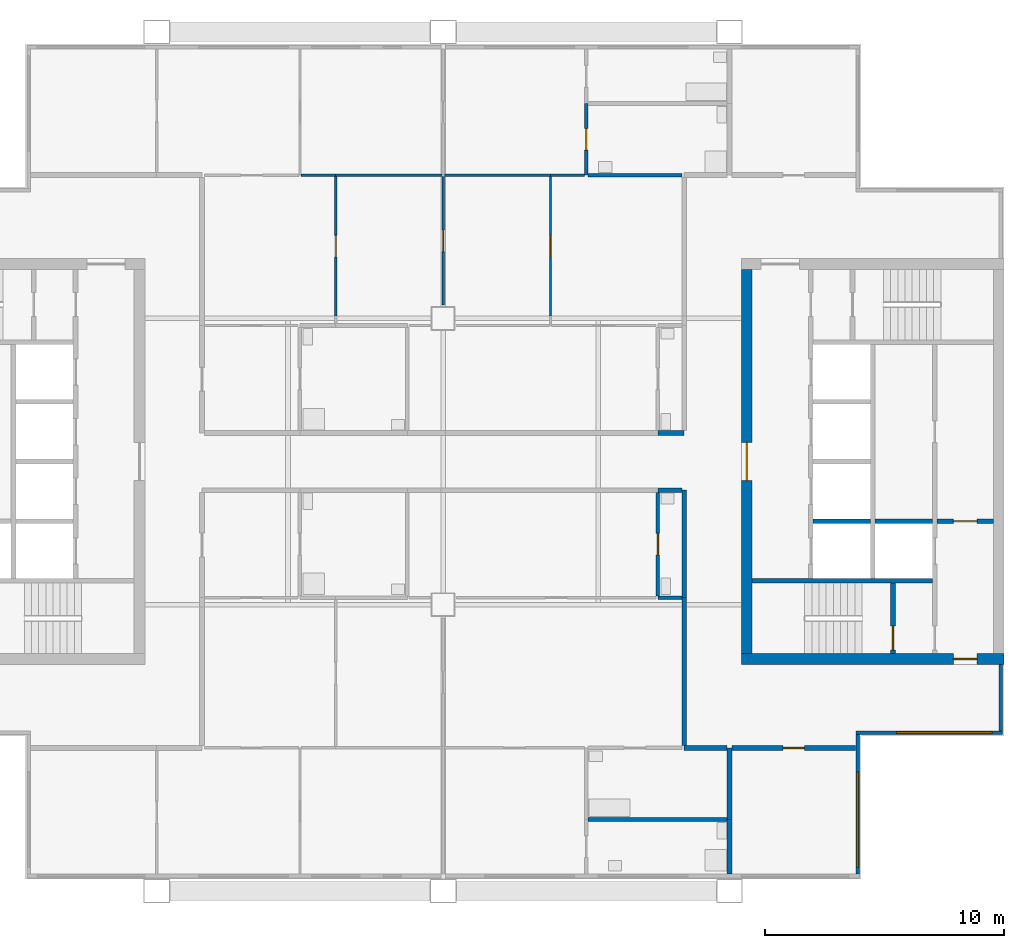
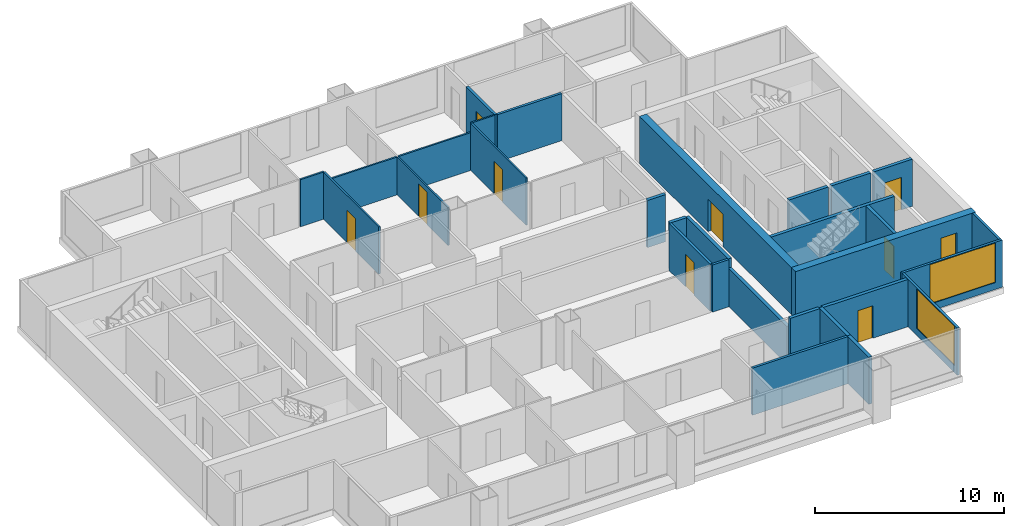
# One storey, part 4 of 8: 30 walls, 10 doors, 2 windows, 12 openings.
"""IFC4 building model written with IfcOpenShell, lengths in metres."""

import ifcopenshell
import ifcopenshell.guid

model = None  # the IFC model being written
_history = None  # IfcOwnerHistory: only IFC2X3 demands one
_inside = {}  # id of a spatial element -> (the spatial element, [elements in it])
_under = {}  # id of a project, library or spatial element -> (it, [spatial elements below it])
_declared = {}  # id of a project -> (the project, [libraries it declares])
_typed = {}  # id of a type object -> (the type object, [elements of that type])
_made_of = {}  # id of a material, layer set ... -> (it, [elements and type objects made of it])


def new_model(schema):
    """Start an empty IFC model of exactly this schema.

    Asked for "IFC4X3", IfcOpenShell would pick the latest addendum, in which some entities
    have other attributes; the version numbers below select the first issue.
    IFC2X3 requires an IfcOwnerHistory on every rooted entity: one is made here for all.
    """
    global model, _history
    if schema == "IFC4X3":
        model = ifcopenshell.file(schema_version=(4, 3, 0, 0))
    else:
        model = ifcopenshell.file(schema=schema)
    _inside.clear()
    _under.clear()
    _declared.clear()
    _typed.clear()
    _made_of.clear()
    _history = None
    if model.schema == "IFC2X3":
        org = make("IfcOrganization", Name="unknown")
        user = make(
            "IfcPersonAndOrganization",
            ThePerson=make("IfcPerson", FamilyName="unknown"),
            TheOrganization=org,
        )
        app = make(
            "IfcApplication",
            ApplicationDeveloper=org,
            Version="unknown",
            ApplicationFullName="unknown",
            ApplicationIdentifier="unknown",
        )
        _history = make(
            "IfcOwnerHistory",
            OwningUser=user,
            OwningApplication=app,
            ChangeAction="ADDED",
            CreationDate=0,
        )
    return model


def make(cls, **values):
    """One entity of the class cls with the attributes given. An attribute that is None is left unset."""
    return model.create_entity(
        cls, **{name: value for name, value in values.items() if value is not None}
    )


def rooted(cls, **values):
    """An entity with a GlobalId (a new one), such as an element, a storey or a relation."""
    return make(cls, GlobalId=ifcopenshell.guid.new(), OwnerHistory=_history, **values)


def si_unit(unit_type, name, prefix=None):
    """IfcSIUnit, for example si_unit("LENGTHUNIT", "METRE", prefix="MILLI")."""
    return make("IfcSIUnit", UnitType=unit_type, Prefix=prefix, Name=name)


def assignment(units):
    """IfcUnitAssignment: the units of a project."""
    return None if units is None else make("IfcUnitAssignment", Units=units)


def point(xyz):
    """IfcCartesianPoint."""
    return None if xyz is None else make("IfcCartesianPoint", Coordinates=xyz)


def direction(xyz):
    """IfcDirection."""
    return None if xyz is None else make("IfcDirection", DirectionRatios=xyz)


def frame(location, z_axis=None, x_axis=None):
    """IfcAxis2Placement3D, a coordinate frame: its origin and axes. An axis left out is left unset."""
    return make(
        "IfcAxis2Placement3D",
        Location=point(location),
        Axis=direction(z_axis),
        RefDirection=direction(x_axis),
    )


def frame_2d(location, x_axis=None):
    """IfcAxis2Placement2D, a coordinate frame in the plane: its origin and x axis."""
    return make(
        "IfcAxis2Placement2D", Location=point(location), RefDirection=direction(x_axis)
    )


def origin():
    """The frame at (0, 0, 0) with its axes left unset."""
    return frame((0.0, 0.0, 0.0))


def place(relative_to, where):
    """IfcLocalPlacement: puts the frame where relative to a parent placement (None: the world)."""
    return make(
        "IfcLocalPlacement", PlacementRelTo=relative_to, RelativePlacement=where
    )


def context(
    kind, dimensions, precision=None, world=None, true_north=None, identifier=None
):
    """IfcGeometricRepresentationContext, for example the 3D "Model" context."""
    return make(
        "IfcGeometricRepresentationContext",
        ContextIdentifier=identifier,
        ContextType=kind,
        CoordinateSpaceDimension=dimensions,
        Precision=precision,
        WorldCoordinateSystem=world,
        TrueNorth=true_north,
    )


def subcontext(parent, identifier, kind, view, scale=None):
    """IfcGeometricRepresentationSubContext, for example "Body" below "Model"."""
    return make(
        "IfcGeometricRepresentationSubContext",
        ContextIdentifier=identifier,
        ContextType=kind,
        ParentContext=parent,
        TargetScale=scale,
        TargetView=view,
    )


def project(units=None, contexts=None):
    """IfcProject with its units and contexts."""
    return rooted(
        "IfcProject",
        Name="project",
        RepresentationContexts=contexts,
        UnitsInContext=assignment(units),
    )


def spatial(cls, under=None, at=None, **own):
    """A site, building, storey or space (cls), placed at a placement, below another one or the project."""
    s = rooted(cls, ObjectPlacement=at, **own)
    if under is not None:
        _under.setdefault(under.id(), (under, []))[1].append(s)
    return s


def profile(cls, at=None, kind="AREA", **sizes):
    """A parametric profile (cls). Its sizes go by their IFC names, for example OverallWidth=200.0."""
    return make(cls, ProfileType=kind, Position=at, **sizes)


def rectangle(**sizes):
    """IfcRectangleProfileDef."""
    return profile("IfcRectangleProfileDef", **sizes)


def extrude(swept, where, along, depth):
    """IfcExtrudedAreaSolid: the profile swept, set in the frame where, extruded along a direction by depth."""
    return make(
        "IfcExtrudedAreaSolid",
        SweptArea=swept,
        Position=where,
        ExtrudedDirection=direction(along),
        Depth=depth,
    )


def shape(context_of_items, identifier, shape_type, items):
    """IfcShapeRepresentation: the items that make up one representation, for example the "Body"."""
    return make(
        "IfcShapeRepresentation",
        ContextOfItems=context_of_items,
        RepresentationIdentifier=identifier,
        RepresentationType=shape_type,
        Items=items,
    )


def material(Name=None, Category=None):
    """IfcMaterial."""
    return make("IfcMaterial", Name=Name, Category=Category)


def layer(
    of_material, thickness, ventilated=None, Name=None, Category=None, Priority=None
):
    """IfcMaterialLayer: one layer of a wall or slab, of a material (None: an air gap)."""
    return make(
        "IfcMaterialLayer",
        Material=of_material,
        LayerThickness=thickness,
        IsVentilated=ventilated,
        Name=Name,
        Category=Category,
        Priority=Priority,
    )


def layer_set(layers, Name=None):
    """IfcMaterialLayerSet."""
    return make("IfcMaterialLayerSet", MaterialLayers=layers, LayerSetName=Name)


def made_of(thing, what):
    """Note that an element or type object is made of a material, layer set ...; save() writes the relation."""
    if what is not None:
        _made_of.setdefault(what.id(), (what, []))[1].append(thing)
    return thing


def type_object(cls, material=None, **own):
    """A type object (cls), such as IfcWallType, which elements share."""
    return made_of(rooted(cls, **own), material)


def element(
    cls,
    number,
    at=None,
    inside=None,
    cuts=None,
    type_object=None,
    material=None,
    context=None,
    identifier="Body",
    shape_type=None,
    held_by="IfcProductDefinitionShape",
    body=None,
    shapes=None,
    **own,
):
    """One element of the class cls, such as IfcWall. Its Tag is "e" and its number.

    at: its placement. inside: the storey or other place that contains it. cuts: it is an
    opening in that element (IfcRelVoidsElement). A single representation is given by context,
    identifier, shape_type and body (its items); several are given by shapes. held_by: the class
    of the entity that holds the representations. save() writes the other relations.
    """
    e = rooted(cls, Tag="e%d" % number, ObjectPlacement=at, **own)
    if body is not None:
        shapes = [shape(context, identifier, shape_type, body)]
    if shapes is not None:
        e.Representation = make(held_by, Representations=shapes)
    if inside is not None:
        _inside.setdefault(inside.id(), (inside, []))[1].append(e)
    if cuts is not None:
        rooted(
            "IfcRelVoidsElement", RelatingBuildingElement=cuts, RelatedOpeningElement=e
        )
    if type_object is not None:
        _typed.setdefault(type_object.id(), (type_object, []))[1].append(e)
    return made_of(e, material)


def fill(opening, filler):
    """IfcRelFillsElement: the door or window that sits in an opening."""
    return rooted(
        "IfcRelFillsElement",
        RelatingOpeningElement=opening,
        RelatedBuildingElement=filler,
    )


def aggregate(whole, parts):
    """IfcRelAggregates: a whole, such as a stair, and the parts it consists of."""
    return rooted("IfcRelAggregates", RelatingObject=whole, RelatedObjects=parts)


def save(model, path):
    """Write the relations noted so far, then the file.

    IfcRelAggregates (storeys below a building ...), IfcRelContainedInSpatialStructure (elements
    in a storey), IfcRelDefinesByType, IfcRelAssociatesMaterial and IfcRelDeclares: one each for
    every whole, place, type object, material and project.
    """
    for whole, parts in _under.values():
        aggregate(whole, parts)
    for where, things in _inside.values():
        rooted(
            "IfcRelContainedInSpatialStructure",
            RelatedElements=things,
            RelatingStructure=where,
        )
    for kind, things in _typed.values():
        rooted("IfcRelDefinesByType", RelatedObjects=things, RelatingType=kind)
    for what, things in _made_of.values():
        rooted("IfcRelAssociatesMaterial", RelatedObjects=things, RelatingMaterial=what)
    for by, libraries in _declared.values():
        rooted("IfcRelDeclares", RelatingContext=by, RelatedDefinitions=libraries)
    model.write(path)


model = new_model("IFC4")

# Units and contexts
model_context = context("Model", 3, precision=1e-05, world=origin(), true_north=direction((0.0, 1.0)))
body_context = subcontext(model_context, "Body", "Model", "MODEL_VIEW")
ifc_project = project(units=[si_unit("LENGTHUNIT", "METRE"), si_unit("AREAUNIT", "SQUARE_METRE"), si_unit("VOLUMEUNIT", "CUBIC_METRE"), si_unit("PLANEANGLEUNIT", "RADIAN"), si_unit("MASSUNIT", "GRAM", prefix="KILO")], contexts=[model_context])

# Site, building, storey
site_placement = place(None, origin())
site = spatial("IfcSite", under=ifc_project, at=site_placement, CompositionType="ELEMENT")
building_placement = place(site_placement, origin())
building = spatial("IfcBuilding", under=site, at=building_placement, Name="Kitamizu Gate Tower and Museum", CompositionType="ELEMENT")
storey_placement = place(building_placement, frame((0.0, 0.0, 235.199951171875)))
storey = spatial("IfcBuildingStorey", under=building, at=storey_placement, Name="L63", CompositionType="ELEMENT", Elevation=235.199951171875)

# Wall, opening, door
ifc_material_1 = material(Name="Concrete Fc42", Category="concrete")
ifc_layer_1 = layer(ifc_material_1, 0.449951171875)
ifc_layer_set_1 = layer_set([ifc_layer_1], Name="Concrete Fc42")
wall_type_1 = type_object("IfcWallType", Name="Core wall 450", PredefinedType="SHEAR", material=ifc_layer_set_1)
wall_1_placement = place(storey_placement, frame((59.5, 21.72509765625, 0.0), z_axis=(0.0, 0.0, 1.0), x_axis=(-1.0, 0.0, 0.0)))
wall_1 = element("IfcWall", 1, at=wall_1_placement, inside=storey, type_object=wall_type_1, Name="Core wall ES", PredefinedType="SHEAR", context=body_context, shape_type="SweptSolid", body=[
    extrude(rectangle(XDim=11.0, YDim=0.449951171875, at=frame_2d((5.5, 0.0))), origin(), (0.0, 0.0, 1.0), 3.050048828125),
])
opening_1_placement = place(wall_1_placement, frame((1.125, 0.0, 0.0)))
opening_1 = element("IfcOpeningElement", 2, at=opening_1_placement, cuts=wall_1, Name="Opening L63-044", PredefinedType="OPENING", context=body_context, shape_type="SweptSolid", body=[
    extrude(rectangle(XDim=1.0, YDim=2.10009765625, at=frame_2d((0.5, 1.050048828125))), frame((0.0, 0.23486328125, 0.0), z_axis=(0.0, -1.0, 0.0), x_axis=(1.0, 0.0, 0.0)), (0.0, 0.0, 1.0), 0.469970703125),
])
ifc_material_2 = material(Name="Hollow metal door set")
door_type_1 = type_object("IfcDoorType", Name="Fire door 1000", OperationType="NOTDEFINED", PredefinedType="DOOR", material=ifc_material_2)
door_1_placement = place(opening_1_placement, frame((1.0, 0.0, 0.0), x_axis=(-1.0, 0.0, 0.0)))
door_1 = element("IfcDoor", 3, at=door_1_placement, inside=storey, type_object=door_type_1, Name="Fire-fighting lobby door L63-044", OperationType="SINGLE_SWING_RIGHT", OverallHeight=2.10009765625, OverallWidth=1.0, PredefinedType="DOOR", context=body_context, shape_type="SweptSolid", body=[
    extrude(rectangle(XDim=1.0, YDim=2.10009765625, at=frame_2d((0.5, 1.050048828125))), frame((0.0, 0.02490234375, 0.0), z_axis=(0.0, -1.0, 0.0), x_axis=(1.0, 0.0, 0.0)), (0.0, 0.0, 1.0), 0.050048828125),
])
fill(opening_1, door_1)

wall_2_placement = place(storey_placement, frame((48.72509765625, 21.949951171875, 0.0), z_axis=(0.0, 0.0, 1.0), x_axis=(0.0, 1.0, 0.0)))
wall_2 = element("IfcWall", 4, at=wall_2_placement, inside=storey, type_object=wall_type_1, Name="Core wall EARC", PredefinedType="SHEAR", context=body_context, shape_type="SweptSolid", body=[
    extrude(rectangle(XDim=16.10009765625, YDim=0.449951171875, at=frame_2d((8.050048828125, 0.0))), origin(), (0.0, 0.0, 1.0), 3.050048828125),
])
opening_2_placement = place(wall_2_placement, frame((7.25, 0.0, 0.0)))
opening_2 = element("IfcOpeningElement", 5, at=opening_2_placement, cuts=wall_2, Name="Opening L63-046", PredefinedType="OPENING", context=body_context, shape_type="SweptSolid", body=[
    extrude(rectangle(XDim=1.60009765625, YDim=2.10009765625, at=frame_2d((0.800048828125, 1.050048828125))), frame((0.0, 0.23486328125, 0.0), z_axis=(0.0, -1.0, 0.0), x_axis=(1.0, 0.0, 0.0)), (0.0, 0.0, 1.0), 0.469970703125),
])
ifc_material_3 = material(Name="Timber door set", Category="wood")
door_type_2 = type_object("IfcDoorType", Name="Entrance door 1600", OperationType="DOUBLE_DOOR_SINGLE_SWING", PredefinedType="DOOR", material=ifc_material_3)
door_2_placement = place(opening_2_placement, origin())
door_2 = element("IfcDoor", 6, at=door_2_placement, inside=storey, type_object=door_type_2, Name="Lobby door L63-046", OperationType="DOUBLE_DOOR_SINGLE_SWING", OverallHeight=2.10009765625, OverallWidth=1.60009765625, PredefinedType="DOOR", context=body_context, shape_type="SweptSolid", body=[
    extrude(rectangle(XDim=1.60009765625, YDim=2.10009765625, at=frame_2d((0.800048828125, 1.050048828125))), frame((0.0, 0.02490234375, 0.0), z_axis=(0.0, -1.0, 0.0), x_axis=(1.0, 0.0, 0.0)), (0.0, 0.0, 1.0), 0.050048828125),
])
fill(opening_2, door_2)

# Walls
ifc_material_4 = material(Name="Gypsum board on galvanised stud")
ifc_layer_2 = layer(ifc_material_4, 0.10009765625)
ifc_layer_set_2 = layer_set([ifc_layer_2], Name="Gypsum board on galvanised stud")
wall_type_2 = type_object("IfcWallType", Name="Partition 100 NOT RATED", PredefinedType="PARTITIONING", material=ifc_layer_set_2)
wall_3_placement = place(storey_placement, frame((30.050048828125, 42.0, 0.0), z_axis=(0.0, 0.0, 1.0), x_axis=(1.0, 0.0, 0.0)))
element("IfcWall", 7, at=wall_3_placement, inside=storey, type_object=wall_type_2, Name="Partition L63-044", PredefinedType="PARTITIONING", context=body_context, shape_type="SweptSolid", body=[
    extrude(rectangle(XDim=1.449951171875, YDim=0.10009765625, at=frame_2d((0.72509765625, 0.0))), origin(), (0.0, 0.0, 1.0), 3.050048828125),
])
for number, where, z_axis, x_axis, name in (
    (8, (31.5, 42.0, 0.0), (0.0, 0.0, 1.0), (1.0, 0.0, 0.0), "Partition L63-045"),
    (9, (36.050048828125, 42.0, 0.0), (0.0, 0.0, 1.0), (1.0, 0.0, 0.0), "Partition L63-048"),
):
    element("IfcWall", number, at=place(storey_placement, frame(where, z_axis=z_axis, x_axis=x_axis)), inside=storey, type_object=wall_type_2, Name=name, PredefinedType="PARTITIONING", context=body_context, shape_type="SweptSolid", body=[
        extrude(rectangle(XDim=4.449951171875, YDim=0.10009765625, at=frame_2d((2.22509765625, 0.0))), origin(), (0.0, 0.0, 1.0), 2.449951171875),
    ])
wall_4_placement = place(storey_placement, frame((40.5, 42.0, 0.0), z_axis=(0.0, 0.0, 1.0), x_axis=(1.0, 0.0, 0.0)))
element("IfcWall", 10, at=wall_4_placement, inside=storey, type_object=wall_type_2, Name="Partition L63-049", PredefinedType="PARTITIONING", context=body_context, shape_type="SweptSolid", body=[
    extrude(rectangle(XDim=1.425048828125, YDim=0.10009765625, at=frame_2d((0.71240234375, 0.0))), origin(), (0.0, 0.0, 1.0), 3.050048828125),
])

# Wall, opening, door
wall_5_placement = place(storey_placement, frame((31.5, 36.10009765625, 0.0), z_axis=(0.0, 0.0, 1.0), x_axis=(0.0, 1.0, 0.0)))
wall_5 = element("IfcWall", 11, at=wall_5_placement, inside=storey, type_object=wall_type_2, Name="Partition L63-056", PredefinedType="PARTITIONING", context=body_context, shape_type="SweptSolid", body=[
    extrude(rectangle(XDim=5.849853515625, YDim=0.10009765625, at=frame_2d((2.9248046875, 0.0))), origin(), (0.0, 0.0, 1.0), 3.050048828125),
])
opening_3_placement = place(wall_5_placement, frame((2.47509765625, 0.0, 0.0)))
opening_3 = element("IfcOpeningElement", 12, at=opening_3_placement, cuts=wall_5, Name="Opening L63-022", PredefinedType="OPENING", context=body_context, shape_type="SweptSolid", body=[
    extrude(rectangle(XDim=0.89990234375, YDim=2.10009765625, at=frame_2d((0.449951171875, 1.050048828125))), frame((0.0, 0.06005859375, 0.0), z_axis=(0.0, -1.0, 0.0), x_axis=(1.0, 0.0, 0.0)), (0.0, 0.0, 1.0), 0.1201171875),
])
ifc_material_5 = material(Name="Timber door set", Category="wood")
door_type_3 = type_object("IfcDoorType", Name="Room door 900", OperationType="NOTDEFINED", PredefinedType="DOOR", material=ifc_material_5)
door_3_placement = place(opening_3_placement, frame((0.89990234375, 0.0, 0.0), x_axis=(-1.0, 0.0, 0.0)))
door_3 = element("IfcDoor", 13, at=door_3_placement, inside=storey, type_object=door_type_3, Name="Door L63-022", OperationType="SINGLE_SWING_RIGHT", OverallHeight=2.10009765625, OverallWidth=0.89990234375, PredefinedType="DOOR", context=body_context, shape_type="SweptSolid", body=[
    extrude(rectangle(XDim=0.89990234375, YDim=2.10009765625, at=frame_2d((0.449951171875, 1.050048828125))), frame((0.0, 0.02490234375, 0.0), z_axis=(0.0, -1.0, 0.0), x_axis=(1.0, 0.0, 0.0)), (0.0, 0.0, 1.0), 0.050048828125),
])
fill(opening_3, door_3)

wall_6_placement = place(storey_placement, frame((36.0, 36.550048828125, 0.0), z_axis=(0.0, 0.0, 1.0), x_axis=(0.0, 1.0, 0.0)))
wall_6 = element("IfcWall", 14, at=wall_6_placement, inside=storey, type_object=wall_type_2, Name="Partition L63-060", PredefinedType="PARTITIONING", context=body_context, shape_type="SweptSolid", body=[
    extrude(rectangle(XDim=5.39990234375, YDim=0.10009765625, at=frame_2d((2.699951171875, 0.0))), origin(), (0.0, 0.0, 1.0), 2.449951171875),
])
opening_4_placement = place(wall_6_placement, frame((2.25, 0.0, 0.0)))
opening_4 = element("IfcOpeningElement", 15, at=opening_4_placement, cuts=wall_6, Name="Opening L63-023", PredefinedType="OPENING", context=body_context, shape_type="SweptSolid", body=[
    extrude(rectangle(XDim=0.89990234375, YDim=2.10009765625, at=frame_2d((0.449951171875, 1.050048828125))), frame((0.0, 0.06005859375, 0.0), z_axis=(0.0, -1.0, 0.0), x_axis=(1.0, 0.0, 0.0)), (0.0, 0.0, 1.0), 0.1201171875),
])
door_4_placement = place(opening_4_placement, origin())
door_4 = element("IfcDoor", 16, at=door_4_placement, inside=storey, type_object=door_type_3, Name="Door L63-023", OperationType="SINGLE_SWING_RIGHT", OverallHeight=2.10009765625, OverallWidth=0.89990234375, PredefinedType="DOOR", context=body_context, shape_type="SweptSolid", body=[
    extrude(rectangle(XDim=0.89990234375, YDim=2.10009765625, at=frame_2d((0.449951171875, 1.050048828125))), frame((0.0, 0.02490234375, 0.0), z_axis=(0.0, -1.0, 0.0), x_axis=(1.0, 0.0, 0.0)), (0.0, 0.0, 1.0), 0.050048828125),
])
fill(opening_4, door_4)

wall_7_placement = place(storey_placement, frame((40.5, 36.10009765625, 0.0), z_axis=(0.0, 0.0, 1.0), x_axis=(0.0, 1.0, 0.0)))
wall_7 = element("IfcWall", 17, at=wall_7_placement, inside=storey, type_object=wall_type_2, Name="Partition L63-064", PredefinedType="PARTITIONING", context=body_context, shape_type="SweptSolid", body=[
    extrude(rectangle(XDim=5.849853515625, YDim=0.10009765625, at=frame_2d((2.9248046875, 0.0))), origin(), (0.0, 0.0, 1.0), 3.050048828125),
])
opening_5_placement = place(wall_7_placement, frame((2.47509765625, 0.0, 0.0)))
opening_5 = element("IfcOpeningElement", 18, at=opening_5_placement, cuts=wall_7, Name="Opening L63-024", PredefinedType="OPENING", context=body_context, shape_type="SweptSolid", body=[
    extrude(rectangle(XDim=0.89990234375, YDim=2.10009765625, at=frame_2d((0.449951171875, 1.050048828125))), frame((0.0, 0.06005859375, 0.0), z_axis=(0.0, -1.0, 0.0), x_axis=(1.0, 0.0, 0.0)), (0.0, 0.0, 1.0), 0.1201171875),
])
door_5_placement = place(opening_5_placement, origin())
door_5 = element("IfcDoor", 19, at=door_5_placement, inside=storey, type_object=door_type_3, Name="Door L63-024", OperationType="SINGLE_SWING_LEFT", OverallHeight=2.10009765625, OverallWidth=0.89990234375, PredefinedType="DOOR", context=body_context, shape_type="SweptSolid", body=[
    extrude(rectangle(XDim=0.89990234375, YDim=2.10009765625, at=frame_2d((0.449951171875, 1.050048828125))), frame((0.0, 0.02490234375, 0.0), z_axis=(0.0, -1.0, 0.0), x_axis=(1.0, 0.0, 0.0)), (0.0, 0.0, 1.0), 0.050048828125),
])
fill(opening_5, door_5)

# Walls
ifc_material_6 = material(Name="Gypsum board on galvanised stud")
ifc_layer_3 = layer(ifc_material_6, 0.14990234375)
ifc_layer_set_3 = layer_set([ifc_layer_3], Name="Gypsum board on galvanised stud")
wall_type_3 = type_object("IfcWallType", Name="Partition 150", PredefinedType="PARTITIONING", material=ifc_layer_set_3)
wall_8_placement = place(storey_placement, frame((47.89990234375, 15.0, 0.0), z_axis=(0.0, 0.0, 1.0), x_axis=(-1.0, 0.0, 0.0)))
element("IfcWall", 20, at=wall_8_placement, inside=storey, type_object=wall_type_3, Name="Partition L63-012", PredefinedType="PARTITIONING", context=body_context, shape_type="SweptSolid", body=[
    extrude(rectangle(XDim=5.824951171875, YDim=0.14990234375, at=frame_2d((2.91259765625, 0.0))), origin(), (0.0, 0.0, 1.0), 3.050048828125),
])
wall_9_placement = place(storey_placement, frame((46.0, 24.300048828125, 0.0), z_axis=(0.0, 0.0, 1.0), x_axis=(-1.0, 0.0, 0.0)))
element("IfcWall", 21, at=wall_9_placement, inside=storey, type_object=wall_type_3, Name="Partition L63-026", PredefinedType="PARTITIONING", context=body_context, shape_type="SweptSolid", body=[
    extrude(rectangle(XDim=1.0, YDim=0.14990234375, at=frame_2d((0.5, 0.0))), origin(), (0.0, 0.0, 1.0), 3.050048828125),
])

# Wall, opening, door
wall_10_placement = place(storey_placement, frame((45.0, 24.375, 0.0), z_axis=(0.0, 0.0, 1.0), x_axis=(0.0, 1.0, 0.0)))
wall_10 = element("IfcWall", 22, at=wall_10_placement, inside=storey, type_object=wall_type_3, Name="Partition L63-033", PredefinedType="PARTITIONING", context=body_context, shape_type="SweptSolid", body=[
    extrude(rectangle(XDim=4.324951171875, YDim=0.14990234375, at=frame_2d((2.16259765625, 0.0))), origin(), (0.0, 0.0, 1.0), 3.050048828125),
])
opening_6_placement = place(wall_10_placement, frame((1.71240234375, 0.0, 0.0)))
opening_6 = element("IfcOpeningElement", 23, at=opening_6_placement, cuts=wall_10, Name="Opening L63-013", PredefinedType="OPENING", context=body_context, shape_type="SweptSolid", body=[
    extrude(rectangle(XDim=0.89990234375, YDim=2.10009765625, at=frame_2d((0.449951171875, 1.050048828125))), frame((0.0, 0.0849609375, 0.0), z_axis=(0.0, -1.0, 0.0), x_axis=(1.0, 0.0, 0.0)), (0.0, 0.0, 1.0), 0.169921875),
])
ifc_material_7 = material(Name="Timber door set", Category="wood")
door_type_4 = type_object("IfcDoorType", Name="Bathroom door 900", OperationType="NOTDEFINED", PredefinedType="DOOR", material=ifc_material_7)
door_6_placement = place(opening_6_placement, frame((0.89990234375, 0.0, 0.0), x_axis=(-1.0, 0.0, 0.0)))
door_6 = element("IfcDoor", 24, at=door_6_placement, inside=storey, type_object=door_type_4, Name="Bathroom door L63-013", OperationType="SINGLE_SWING_LEFT", OverallHeight=2.10009765625, OverallWidth=0.89990234375, PredefinedType="DOOR", context=body_context, shape_type="SweptSolid", body=[
    extrude(rectangle(XDim=0.89990234375, YDim=2.10009765625, at=frame_2d((0.449951171875, 1.050048828125))), frame((0.0, 0.02490234375, 0.0), z_axis=(0.0, -1.0, 0.0), x_axis=(1.0, 0.0, 0.0)), (0.0, 0.0, 1.0), 0.050048828125),
])
fill(opening_6, door_6)

wall_11_placement = place(storey_placement, frame((42.0, 42.0, 0.0), z_axis=(0.0, 0.0, 1.0), x_axis=(0.0, 1.0, 0.0)))
wall_11 = element("IfcWall", 25, at=wall_11_placement, inside=storey, type_object=wall_type_3, Name="Partition L63-046", PredefinedType="PARTITIONING", context=body_context, shape_type="SweptSolid", body=[
    extrude(rectangle(XDim=3.0, YDim=0.14990234375, at=frame_2d((1.5, 0.0))), origin(), (0.0, 0.0, 1.0), 3.050048828125),
])
opening_7_placement = place(wall_11_placement, frame((1.050048828125, 0.0, 0.0)))
opening_7 = element("IfcOpeningElement", 26, at=opening_7_placement, cuts=wall_11, Name="Opening L63-020", PredefinedType="OPENING", context=body_context, shape_type="SweptSolid", body=[
    extrude(rectangle(XDim=0.89990234375, YDim=2.10009765625, at=frame_2d((0.449951171875, 1.050048828125))), frame((0.0, 0.0849609375, 0.0), z_axis=(0.0, -1.0, 0.0), x_axis=(1.0, 0.0, 0.0)), (0.0, 0.0, 1.0), 0.169921875),
])
door_7_placement = place(opening_7_placement, frame((0.89990234375, 0.0, 0.0), x_axis=(-1.0, 0.0, 0.0)))
door_7 = element("IfcDoor", 27, at=door_7_placement, inside=storey, type_object=door_type_4, Name="Bathroom door L63-020", OperationType="SINGLE_SWING_RIGHT", OverallHeight=2.10009765625, OverallWidth=0.89990234375, PredefinedType="DOOR", context=body_context, shape_type="SweptSolid", body=[
    extrude(rectangle(XDim=0.89990234375, YDim=2.10009765625, at=frame_2d((0.449951171875, 1.050048828125))), frame((0.0, 0.02490234375, 0.0), z_axis=(0.0, -1.0, 0.0), x_axis=(1.0, 0.0, 0.0)), (0.0, 0.0, 1.0), 0.050048828125),
])
fill(opening_7, door_7)

# Walls
wall_12_placement = place(storey_placement, frame((42.074951171875, 42.0, 0.0), z_axis=(0.0, 0.0, 1.0), x_axis=(1.0, 0.0, 0.0)))
element("IfcWall", 28, at=wall_12_placement, inside=storey, type_object=wall_type_3, Name="Partition L63-051", PredefinedType="PARTITIONING", context=body_context, shape_type="SweptSolid", body=[
    extrude(rectangle(XDim=3.925048828125, YDim=0.14990234375, at=frame_2d((1.96240234375, 0.0))), origin(), (0.0, 0.0, 1.0), 3.050048828125),
])
ifc_material_8 = material(Name="Gypsum board on galvanised stud")
ifc_layer_4 = layer(ifc_material_8, 0.199951171875)
ifc_layer_set_4 = layer_set([ifc_layer_4], Name="Gypsum board on galvanised stud")
wall_type_4 = type_object("IfcWallType", Name="Partition 200", PredefinedType="PARTITIONING", material=ifc_layer_set_4)
wall_13_placement = place(storey_placement, frame((48.0, 12.719970703125, 0.0), z_axis=(0.0, 0.0, 1.0), x_axis=(0.0, 1.0, 0.0)))
element("IfcWall", 29, at=wall_13_placement, inside=storey, type_object=wall_type_4, Name="Partition L63-013", PredefinedType="PARTITIONING", context=body_context, shape_type="SweptSolid", body=[
    extrude(rectangle(XDim=2.280029296875, YDim=0.199951171875, at=frame_2d((1.14013671875, 0.0))), origin(), (0.0, 0.0, 1.0), 3.050048828125),
])
wall_14_placement = place(storey_placement, frame((48.0, 15.0, 0.0), z_axis=(0.0, 0.0, 1.0), x_axis=(0.0, 1.0, 0.0)))
element("IfcWall", 30, at=wall_14_placement, inside=storey, type_object=wall_type_4, Name="Partition L63-015", PredefinedType="PARTITIONING", context=body_context, shape_type="SweptSolid", body=[
    extrude(rectangle(XDim=3.0, YDim=0.199951171875, at=frame_2d((1.5, 0.0))), origin(), (0.0, 0.0, 1.0), 3.050048828125),
])
wall_15_placement = place(storey_placement, frame((47.89990234375, 18.0, 0.0), z_axis=(0.0, 0.0, 1.0), x_axis=(-1.0, 0.0, 0.0)))
element("IfcWall", 31, at=wall_15_placement, inside=storey, type_object=wall_type_4, Name="Partition L63-016", PredefinedType="PARTITIONING", context=body_context, shape_type="SweptSolid", body=[
    extrude(rectangle(XDim=1.7998046875, YDim=0.199951171875, at=frame_2d((0.89990234375, 0.0))), origin(), (0.0, 0.0, 1.0), 3.050048828125),
])
wall_16_placement = place(storey_placement, frame((46.10009765625, 18.10009765625, 0.0), z_axis=(0.0, 0.0, 1.0), x_axis=(0.0, 1.0, 0.0)))
element("IfcWall", 32, at=wall_16_placement, inside=storey, type_object=wall_type_4, Name="Partition L63-027", PredefinedType="PARTITIONING", context=body_context, shape_type="SweptSolid", body=[
    extrude(rectangle(XDim=6.199951171875, YDim=0.199951171875, at=frame_2d((3.10009765625, 0.0))), origin(), (0.0, 0.0, 1.0), 2.449951171875),
])
wall_17_placement = place(storey_placement, frame((46.10009765625, 24.300048828125, 0.0), z_axis=(0.0, 0.0, 1.0), x_axis=(0.0, 1.0, 0.0)))
element("IfcWall", 33, at=wall_17_placement, inside=storey, type_object=wall_type_4, Name="Partition L63-036", PredefinedType="PARTITIONING", context=body_context, shape_type="SweptSolid", body=[
    extrude(rectangle(XDim=4.5, YDim=0.199951171875, at=frame_2d((2.25, 0.0))), origin(), (0.0, 0.0, 1.0), 3.050048828125),
])
wall_18_placement = place(storey_placement, frame((46.0, 28.800048828125, 0.0), z_axis=(0.0, 0.0, 1.0), x_axis=(-1.0, 0.0, 0.0)))
element("IfcWall", 34, at=wall_18_placement, inside=storey, type_object=wall_type_4, Name="Partition L63-037", PredefinedType="PARTITIONING", context=body_context, shape_type="SweptSolid", body=[
    extrude(rectangle(XDim=1.0, YDim=0.199951171875, at=frame_2d((0.5, 0.0))), origin(), (0.0, 0.0, 1.0), 3.050048828125),
])
wall_19_placement = place(storey_placement, frame((45.0, 31.199951171875, 0.0), z_axis=(0.0, 0.0, 1.0), x_axis=(1.0, 0.0, 0.0)))
element("IfcWall", 35, at=wall_19_placement, inside=storey, type_object=wall_type_4, Name="Partition L63-078", PredefinedType="PARTITIONING", context=body_context, shape_type="SweptSolid", body=[
    extrude(rectangle(XDim=1.10009765625, YDim=0.199951171875, at=frame_2d((0.550048828125, 0.0))), origin(), (0.0, 0.0, 1.0), 3.050048828125),
])

# Wall, opening, door
wall_20_placement = place(storey_placement, frame((53.280029296875, 18.0, 0.0), z_axis=(0.0, 0.0, 1.0), x_axis=(-1.0, 0.0, 0.0)))
wall_20 = element("IfcWall", 36, at=wall_20_placement, inside=storey, type_object=wall_type_4, Name="Partition L63-080", PredefinedType="PARTITIONING", context=body_context, shape_type="SweptSolid", body=[
    extrude(rectangle(XDim=5.179931640625, YDim=0.199951171875, at=frame_2d((2.58984375, 0.0))), origin(), (0.0, 0.0, 1.0), 3.050048828125),
])
opening_8_placement = place(wall_20_placement, frame((2.139892578125, 0.0, 0.0)))
opening_8 = element("IfcOpeningElement", 37, at=opening_8_placement, cuts=wall_20, Name="Opening L63-028", PredefinedType="OPENING", context=body_context, shape_type="SweptSolid", body=[
    extrude(rectangle(XDim=0.89990234375, YDim=2.10009765625, at=frame_2d((0.449951171875, 1.050048828125))), frame((0.0, 0.10986328125, 0.0), z_axis=(0.0, -1.0, 0.0), x_axis=(1.0, 0.0, 0.0)), (0.0, 0.0, 1.0), 0.219970703125),
])
door_8_placement = place(opening_8_placement, origin())
door_8 = element("IfcDoor", 38, at=door_8_placement, inside=storey, type_object=door_type_3, Name="Door L63-028", OperationType="SINGLE_SWING_LEFT", OverallHeight=2.10009765625, OverallWidth=0.89990234375, PredefinedType="DOOR", context=body_context, shape_type="SweptSolid", body=[
    extrude(rectangle(XDim=0.89990234375, YDim=2.10009765625, at=frame_2d((0.449951171875, 1.050048828125))), frame((0.0, 0.02490234375, 0.0), z_axis=(0.0, -1.0, 0.0), x_axis=(1.0, 0.0, 0.0)), (0.0, 0.0, 1.0), 0.050048828125),
])
fill(opening_8, door_8)

# Wall
ifc_material_9 = material(Name="Concrete Fc42", Category="concrete")
ifc_layer_5 = layer(ifc_material_9, 0.199951171875)
ifc_layer_set_5 = layer_set([ifc_layer_5], Name="Concrete Fc42")
wall_type_5 = type_object("IfcWallType", Name="Shaft wall 200", PredefinedType="SOLIDWALL", material=ifc_layer_set_5)
wall_21_placement = place(storey_placement, frame((56.5, 25.0, 0.0), z_axis=(0.0, 0.0, 1.0), x_axis=(-1.0, 0.0, 0.0)))
element("IfcWall", 39, at=wall_21_placement, inside=storey, type_object=wall_type_5, Name="Shaft wall ESB", PredefinedType="SOLIDWALL", context=body_context, shape_type="SweptSolid", body=[
    extrude(rectangle(XDim=7.550048828125, YDim=0.199951171875, at=frame_2d((3.77490234375, 0.0))), origin(), (0.0, 0.0, 1.0), 3.050048828125),
])

# Wall, opening, door
wall_22_placement = place(storey_placement, frame((59.050048828125, 27.5, 0.0), z_axis=(0.0, 0.0, 1.0), x_axis=(-1.0, 0.0, 0.0)))
wall_22 = element("IfcWall", 40, at=wall_22_placement, inside=storey, type_object=wall_type_5, Name="Shaft wall EFFN", PredefinedType="SOLIDWALL", context=body_context, shape_type="SweptSolid", body=[
    extrude(rectangle(XDim=2.35009765625, YDim=0.199951171875, at=frame_2d((1.175048828125, 0.0))), origin(), (0.0, 0.0, 1.0), 3.050048828125),
])
opening_9_placement = place(wall_22_placement, frame((0.675048828125, 0.0, 0.0)))
opening_9 = element("IfcOpeningElement", 41, at=opening_9_placement, cuts=wall_22, Name="Opening L63-043", PredefinedType="OPENING", context=body_context, shape_type="SweptSolid", body=[
    extrude(rectangle(XDim=1.0, YDim=2.10009765625, at=frame_2d((0.5, 1.050048828125))), frame((0.0, 0.10986328125, 0.0), z_axis=(0.0, -1.0, 0.0), x_axis=(1.0, 0.0, 0.0)), (0.0, 0.0, 1.0), 0.219970703125),
])
door_9_placement = place(opening_9_placement, origin())
door_9 = element("IfcDoor", 42, at=door_9_placement, inside=storey, type_object=door_type_1, Name="Fire-fighting lobby door L63-043", OperationType="SINGLE_SWING_RIGHT", OverallHeight=2.10009765625, OverallWidth=1.0, PredefinedType="DOOR", context=body_context, shape_type="SweptSolid", body=[
    extrude(rectangle(XDim=1.0, YDim=2.10009765625, at=frame_2d((0.5, 1.050048828125))), frame((0.0, 0.02490234375, 0.0), z_axis=(0.0, -1.0, 0.0), x_axis=(1.0, 0.0, 0.0)), (0.0, 0.0, 1.0), 0.050048828125),
])
fill(opening_9, door_9)

wall_23_placement = place(storey_placement, frame((54.85009765625, 21.949951171875, 0.0), z_axis=(0.0, 0.0, 1.0), x_axis=(0.0, 1.0, 0.0)))
wall_23 = element("IfcWall", 43, at=wall_23_placement, inside=storey, type_object=wall_type_5, Name="Shaft wall ESZ", PredefinedType="SOLIDWALL", context=body_context, shape_type="SweptSolid", body=[
    extrude(rectangle(XDim=2.949951171875, YDim=0.199951171875, at=frame_2d((1.47509765625, 0.0))), origin(), (0.0, 0.0, 1.0), 3.050048828125),
])
opening_10_placement = place(wall_23_placement, frame((0.14990234375, 0.0, 0.0)))
opening_10 = element("IfcOpeningElement", 44, at=opening_10_placement, cuts=wall_23, Name="Opening L63-039", PredefinedType="OPENING", context=body_context, shape_type="SweptSolid", body=[
    extrude(rectangle(XDim=1.0, YDim=2.10009765625, at=frame_2d((0.5, 1.050048828125))), frame((0.0, 0.10986328125, 0.0), z_axis=(0.0, -1.0, 0.0), x_axis=(1.0, 0.0, 0.0)), (0.0, 0.0, 1.0), 0.219970703125),
])
door_10_placement = place(opening_10_placement, origin())
door_10 = element("IfcDoor", 45, at=door_10_placement, inside=storey, type_object=door_type_1, Name="Stair door L63-039", OperationType="SINGLE_SWING_RIGHT", OverallHeight=2.10009765625, OverallWidth=1.0, PredefinedType="DOOR", context=body_context, shape_type="SweptSolid", body=[
    extrude(rectangle(XDim=1.0, YDim=2.10009765625, at=frame_2d((0.5, 1.050048828125))), frame((0.0, 0.02490234375, 0.0), z_axis=(0.0, -1.0, 0.0), x_axis=(1.0, 0.0, 0.0)), (0.0, 0.0, 1.0), 0.050048828125),
])
fill(opening_10, door_10)

# Walls
for number, where, z_axis, x_axis, name in (
    (46, (56.5, 27.5, 0.0), (0.0, 0.0, 1.0), (-1.0, 0.0, 0.0), "Shaft wall EDVW0"),
    (47, (53.89990234375, 27.5, 0.0), (0.0, 0.0, 1.0), (-1.0, 0.0, 0.0), "Shaft wall EDVE0"),
):
    element("IfcWall", number, at=place(storey_placement, frame(where, z_axis=z_axis, x_axis=x_axis)), inside=storey, type_object=wall_type_5, Name=name, PredefinedType="SOLIDWALL", context=body_context, shape_type="SweptSolid", body=[
        extrude(rectangle(XDim=2.39990234375, YDim=0.199951171875, at=frame_2d((1.199951171875, 0.0))), origin(), (0.0, 0.0, 1.0), 3.050048828125),
    ])

# Wall, opening, window
ifc_material_10 = material(Name="Bronze anodised aluminium frame with insulated spandrel and tinted glass", Category="aluminium")
ifc_layer_6 = layer(ifc_material_10, 0.14990234375)
ifc_layer_set_6 = layer_set([ifc_layer_6], Name="Bronze anodised aluminium frame with insulated spandrel and tinted glass")
wall_type_6 = type_object("IfcWallType", Name="WINDOW WALL 150 BRONZE FRAME EI 30", PredefinedType="ELEMENTEDWALL", material=ifc_layer_set_6)
wall_24_placement = place(storey_placement, frame((53.364990234375, 12.7099609375, 0.0), z_axis=(0.0, 0.0, 1.0), x_axis=(0.0, 1.0, 0.0)))
wall_24 = element("IfcWall", 48, at=wall_24_placement, inside=storey, type_object=wall_type_6, Name="Window wall east L63", PredefinedType="ELEMENTEDWALL", context=body_context, shape_type="SweptSolid", body=[
    extrude(rectangle(XDim=5.85009765625, YDim=0.14990234375, at=frame_2d((2.925048828125, 0.0))), origin(), (0.0, 0.0, 1.0), 3.050048828125),
])
opening_11_placement = place(wall_24_placement, frame((0.2900390625, 0.0, 0.449951171875)))
opening_11 = element("IfcOpeningElement", 49, at=opening_11_placement, cuts=wall_24, Name="Opening W16", PredefinedType="OPENING", context=body_context, shape_type="SweptSolid", body=[
    extrude(rectangle(XDim=4.0, YDim=2.550048828125, at=frame_2d((2.0, 1.27490234375))), frame((0.0, 0.0849609375, 0.0), z_axis=(0.0, -1.0, 0.0), x_axis=(1.0, 0.0, 0.0)), (0.0, 0.0, 1.0), 0.169921875),
])
ifc_material_11 = material(Name="Bronze anodised aluminium frame, tinted triple glazing", Category="aluminium")
window_type = type_object("IfcWindowType", Name="WINDOW 4000 x 2550 SILL 450", PartitioningType="SINGLE_PANEL", PredefinedType="WINDOW", material=ifc_material_11)
window_1_placement = place(opening_11_placement, origin())
window_1 = element("IfcWindow", 50, at=window_1_placement, inside=storey, type_object=window_type, Name="Window W16 L63", OverallHeight=2.550048828125, OverallWidth=4.0, PartitioningType="SINGLE_PANEL", PredefinedType="WINDOW", context=body_context, shape_type="SweptSolid", body=[
    extrude(rectangle(XDim=4.0, YDim=2.550048828125, at=frame_2d((2.0, 1.27490234375))), frame((0.0, 0.030029296875, 0.0), z_axis=(0.0, -1.0, 0.0), x_axis=(1.0, 0.0, 0.0)), (0.0, 0.0, 1.0), 0.06005859375),
])
fill(opening_11, window_1)

wall_25_placement = place(storey_placement, frame((53.2900390625, 18.635009765625, 0.0), z_axis=(0.0, 0.0, 1.0), x_axis=(1.0, 0.0, 0.0)))
wall_25 = element("IfcWall", 51, at=wall_25_placement, inside=storey, type_object=wall_type_6, Name="Window wall south L63", PredefinedType="ELEMENTEDWALL", context=body_context, shape_type="SweptSolid", body=[
    extrude(rectangle(XDim=6.14990234375, YDim=0.14990234375, at=frame_2d((3.074951171875, 0.0))), origin(), (0.0, 0.0, 1.0), 3.050048828125),
])
opening_12_placement = place(wall_25_placement, frame((1.7099609375, 0.0, 0.449951171875)))
opening_12 = element("IfcOpeningElement", 52, at=opening_12_placement, cuts=wall_25, Name="Opening W16", PredefinedType="OPENING", context=body_context, shape_type="SweptSolid", body=[
    extrude(rectangle(XDim=4.0, YDim=2.550048828125, at=frame_2d((2.0, 1.27490234375))), frame((0.0, 0.0849609375, 0.0), z_axis=(0.0, -1.0, 0.0), x_axis=(1.0, 0.0, 0.0)), (0.0, 0.0, 1.0), 0.169921875),
])
window_2_placement = place(opening_12_placement, origin())
window_2 = element("IfcWindow", 53, at=window_2_placement, inside=storey, type_object=window_type, Name="Window W16 L63", OverallHeight=2.550048828125, OverallWidth=4.0, PartitioningType="SINGLE_PANEL", PredefinedType="WINDOW", context=body_context, shape_type="SweptSolid", body=[
    extrude(rectangle(XDim=4.0, YDim=2.550048828125, at=frame_2d((2.0, 1.27490234375))), frame((0.0, 0.030029296875, 0.0), z_axis=(0.0, -1.0, 0.0), x_axis=(1.0, 0.0, 0.0)), (0.0, 0.0, 1.0), 0.06005859375),
])
fill(opening_12, window_2)

# Wall
wall_26_placement = place(storey_placement, frame((59.364990234375, 18.7099609375, 0.0), z_axis=(0.0, 0.0, 1.0), x_axis=(0.0, 1.0, 0.0)))
element("IfcWall", 54, at=wall_26_placement, inside=storey, type_object=wall_type_6, Name="Window wall east L63", PredefinedType="ELEMENTEDWALL", context=body_context, shape_type="SweptSolid", body=[
    extrude(rectangle(XDim=2.7900390625, YDim=0.14990234375, at=frame_2d((1.39501953125, 0.0))), origin(), (0.0, 0.0, 1.0), 3.050048828125),
])

save(model, "model.ifc")
